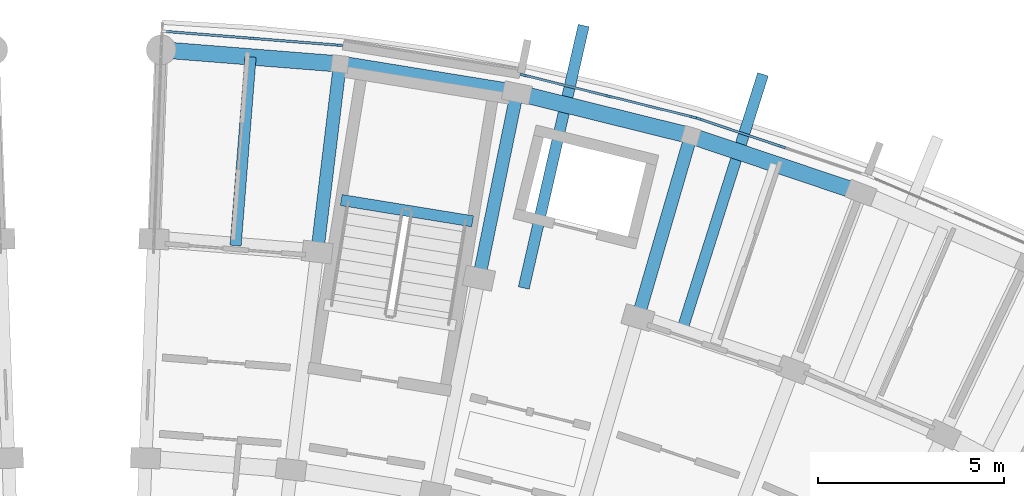
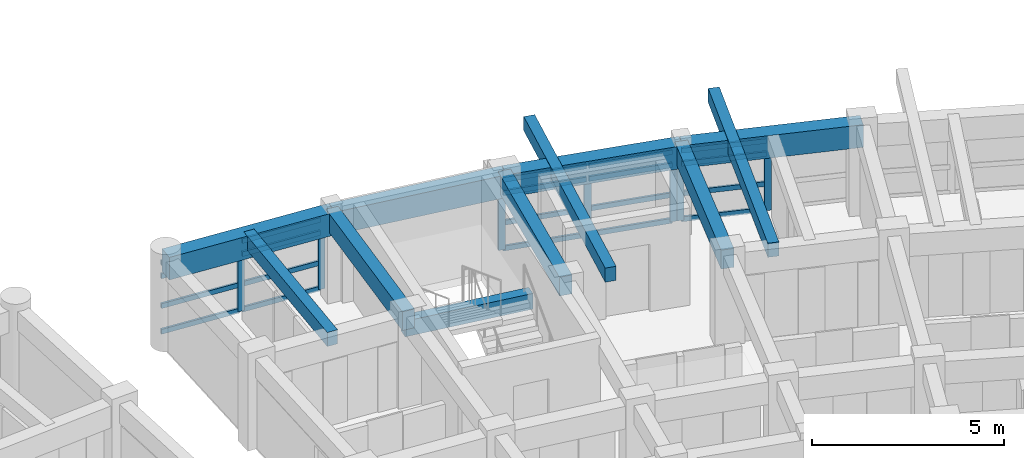
# One storey, part 8 of 56: 27 members, 11 beams, 3 elements without a shape of their own.
"""IFC4 building model written with IfcOpenShell, lengths in metres."""

from ifc_helpers import new_model, si_unit, direction, frame, origin, origin_2d, place, context, subcontext, project, spatial, rectangle, extrude, material, material_profile, profile_set, type_object, element, aggregate, save


model = new_model("IFC4")

# Units and contexts
model_context = context("Model", 3, precision=1e-05, world=origin(), true_north=direction((0.0, 1.0)))
body_context = subcontext(model_context, "Body", "Model", "MODEL_VIEW")
ifc_project = project(units=[si_unit("LENGTHUNIT", "METRE"), si_unit("AREAUNIT", "SQUARE_METRE"), si_unit("VOLUMEUNIT", "CUBIC_METRE"), si_unit("PLANEANGLEUNIT", "RADIAN"), si_unit("MASSUNIT", "GRAM", prefix="KILO")], contexts=[model_context])

# Site, building, storey
site_placement = place(None, origin())
site = spatial("IfcSite", under=ifc_project, at=site_placement, CompositionType="ELEMENT")
building_placement = place(site_placement, origin())
building = spatial("IfcBuilding", under=site, at=building_placement, Name="Zimvara Arc Housing Community", CompositionType="ELEMENT")
storey_placement = place(building_placement, frame((0.0, 0.0, 17.39990234375)))
storey = spatial("IfcBuildingStorey", under=building, at=storey_placement, Name="L05", CompositionType="ELEMENT", Elevation=17.39990234375)

# Beams
ifc_material_1 = material(Name="Concrete C40/50", Category="concrete")
ifc_material_profile_1 = material_profile(ifc_material_1, rectangle(XDim=0.300048828125, YDim=0.449951171875, at=origin_2d()), Name="RC 300x450")
ifc_profile_set_1 = profile_set([ifc_material_profile_1], Name="Concrete C40/50")
beam_type_1 = type_object("IfcBeamType", Name="BM-RC-300x450", PredefinedType="JOIST", material=ifc_profile_set_1)
beam_1_placement = place(storey_placement, frame((49.2548828125, 98.08642578125, 2.64501953125), z_axis=(0.079171686291, 0.99686099537, 0.0), x_axis=(-0.99686099537, 0.079171686291, 0.0)))
element("IfcBeam", 1, at=beam_1_placement, inside=storey, type_object=beam_type_1, Name="bm:blkB:L05:joist:b0", PredefinedType="JOIST", context=body_context, shape_type="SweptSolid", body=[
    extrude(rectangle(XDim=0.300048828125, YDim=0.449951171875, at=origin_2d()), origin(), (0.0, 0.0, 1.0), 5.07568359375),
])
beam_2_placement = place(storey_placement, frame((56.983642578125, 96.9482421875, 2.6650390625), z_axis=(0.222762368322, 0.974872774909, 0.0), x_axis=(-0.974872774909, 0.222762368322, 0.0)))
element("IfcBeam", 2, at=beam_2_placement, inside=storey, type_object=beam_type_1, Name="bm:blkB:L05:cant_out:b2", PredefinedType="JOIST", context=body_context, shape_type="SweptSolid", body=[
    extrude(rectangle(XDim=0.300048828125, YDim=0.449951171875, at=origin_2d()), origin(), (0.0, 0.0, 1.0), 7.22021484375),
])
beam_3_placement = place(storey_placement, frame((61.22314453125, 95.795654296875, 2.6650390625), z_axis=(0.301521356078, 0.953459423273, 0.0), x_axis=(-0.953459423273, 0.301521356078, 0.0)))
element("IfcBeam", 3, at=beam_3_placement, inside=storey, type_object=beam_type_1, Name="bm:blkB:L05:cant_out:b3", PredefinedType="JOIST", context=body_context, shape_type="SweptSolid", body=[
    extrude(rectangle(XDim=0.300048828125, YDim=0.449951171875, at=origin_2d()), origin(), (0.0, 0.0, 1.0), 7.219970703125),
])
ifc_material_2 = material(Name="Concrete C40/50", Category="concrete")
ifc_material_profile_2 = material_profile(ifc_material_2, rectangle(XDim=0.300048828125, YDim=0.5, at=origin_2d()), Name="RC 300x500")
ifc_profile_set_2 = profile_set([ifc_material_profile_2], Name="Concrete C40/50")
beam_type_2 = type_object("IfcBeamType", Name="BM-RC-300x500", PredefinedType="BEAM", material=ifc_profile_set_2)
beam_4_placement = place(storey_placement, frame((55.612060546875, 98.7353515625, 1.300048828125), z_axis=(-0.987080057935, 0.160227835371, 0.0), x_axis=(-0.160227835371, -0.987080057935, 0.0)))
element("IfcBeam", 4, at=beam_4_placement, inside=storey, type_object=beam_type_2, Name="bm:stair_trim:ST-B1:L05:mid", PredefinedType="BEAM", context=body_context, shape_type="SweptSolid", body=[
    extrude(rectangle(XDim=0.300048828125, YDim=0.5, at=origin_2d()), origin(), (0.0, 0.0, 1.0), 3.570068359375),
])
ifc_material_3 = material(Name="Concrete C40/50", Category="concrete")
ifc_material_profile_3 = material_profile(ifc_material_3, rectangle(XDim=0.35009765625, YDim=0.60009765625, at=origin_2d()), Name="RC 350x600")
ifc_profile_set_3 = profile_set([ifc_material_profile_3], Name="Concrete C40/50")
beam_type_3 = type_object("IfcBeamType", Name="BM-RC-350x600", PredefinedType="BEAM", material=ifc_profile_set_3)
beam_5_placement = place(storey_placement, frame((51.44482421875, 97.91259765625, 2.570068359375), z_axis=(0.119762990499, 0.99280251113, 0.0), x_axis=(-0.99280251113, 0.119762990499, 0.0)))
element("IfcBeam", 5, at=beam_5_placement, inside=storey, type_object=beam_type_3, Name="bm:blkB:L05:rad:b1:r23", PredefinedType="BEAM", context=body_context, shape_type="SweptSolid", body=[
    extrude(rectangle(XDim=0.35009765625, YDim=0.60009765625, at=origin_2d()), origin(), (0.0, 0.0, 1.0), 5.080078125),
])
for number, where, z_axis, x_axis, name in (
    (6, (55.78125, 97.208740234375, 2.570068359375), (0.200411962389, 0.97971171542, 0.0), (-0.97971171542, 0.200411962389, 0.0), "bm:blkB:L05:rad:b2:r23"),
    (7, (60.0458984375, 96.1533203125, 2.570068359375), (0.279662254096, 0.960098444762, 0.0), (-0.960098444762, 0.279662254096, 0.0), "bm:blkB:L05:rad:b3:r23"),
):
    element("IfcBeam", number, at=place(storey_placement, frame(where, z_axis=z_axis, x_axis=x_axis)), inside=storey, type_object=beam_type_3, Name=name, PredefinedType="BEAM", context=body_context, shape_type="SweptSolid", body=[
        extrude(rectangle(XDim=0.35009765625, YDim=0.60009765625, at=origin_2d()), origin(), (0.0, 0.0, 1.0), 5.079833984375),
    ])
ifc_material_4 = material(Name="Concrete C40/50", Category="concrete")
ifc_material_profile_4 = material_profile(ifc_material_4, rectangle(XDim=0.43994140625, YDim=0.719970703125, at=origin_2d()), Name="RC 440x720")
ifc_profile_set_4 = profile_set([ifc_material_profile_4], Name="Concrete C40/50")
beam_type_4 = type_object("IfcBeamType", Name="BM-RC-440x720", PredefinedType="BEAM", material=ifc_profile_set_4)
beam_6_placement = place(storey_placement, frame((47.26025390625, 103.336669921875, 2.510009765625), z_axis=(0.996861768207, -0.0791619548, 0.0), x_axis=(0.0791619548, 0.996861768207, 0.0)))
element("IfcBeam", 8, at=beam_6_placement, inside=storey, type_object=beam_type_4, Name="bm:blkB:L05:chord:r3:b0", PredefinedType="BEAM", context=body_context, shape_type="SweptSolid", body=[
    extrude(rectangle(XDim=0.43994140625, YDim=0.719970703125, at=origin_2d()), origin(), (0.0, 0.0, 1.0), 4.80810546875),
])
beam_7_placement = place(storey_placement, frame((52.05322265625, 102.9560546875, 2.510009765625), z_axis=(0.987076839731, -0.160247659784, 0.0), x_axis=(0.160247659784, 0.987076839731, 0.0)))
element("IfcBeam", 9, at=beam_7_placement, inside=storey, type_object=beam_type_4, Name="bm:blkB:L05:chord:r3:b1", PredefinedType="BEAM", context=body_context, shape_type="SweptSolid", body=[
    extrude(rectangle(XDim=0.43994140625, YDim=0.719970703125, at=origin_2d()), origin(), (0.0, 0.0, 1.0), 4.808349609375),
])
beam_8_placement = place(storey_placement, frame((56.79931640625, 102.185546875, 2.510009765625), z_axis=(0.970716235341, -0.240229037474, 0.0), x_axis=(0.240229037474, 0.970716235341, 0.0)))
element("IfcBeam", 10, at=beam_8_placement, inside=storey, type_object=beam_type_4, Name="bm:blkB:L05:chord:r3:b2", PredefinedType="BEAM", context=body_context, shape_type="SweptSolid", body=[
    extrude(rectangle(XDim=0.43994140625, YDim=0.719970703125, at=origin_2d()), origin(), (0.0, 0.0, 1.0), 4.80810546875),
])
beam_9_placement = place(storey_placement, frame((61.466552734375, 101.030517578125, 2.510009765625), z_axis=(0.947877948153, -0.31863363822, 0.0), x_axis=(0.31863363822, 0.947877948153, 0.0)))
element("IfcBeam", 11, at=beam_9_placement, inside=storey, type_object=beam_type_4, Name="bm:blkB:L05:chord:r3:b3", PredefinedType="BEAM", context=body_context, shape_type="SweptSolid", body=[
    extrude(rectangle(XDim=0.43994140625, YDim=0.719970703125, at=origin_2d()), origin(), (0.0, 0.0, 1.0), 4.807861328125),
])

# Curtain wall, members
ifc_material_5 = material(Name="Anodised Aluminium AW-6063", Category="aluminium")
curtain_wall_type_1 = type_object("IfcCurtainWallType", Name="CW-SYS-03", PredefinedType="USERDEFINED", material=ifc_material_5)
curtain_wall_1_placement = place(storey_placement, origin())
curtain_wall_1 = element("IfcCurtainWall", 12, at=curtain_wall_1_placement, inside=storey, type_object=curtain_wall_type_1, Name="cw:blkB:L05:out:b0", ObjectType="CURTAIN WALL", PredefinedType="USERDEFINED")
ifc_material_6 = material(Name="Anodised Aluminium AW-6063", Category="aluminium")
ifc_material_profile_5 = material_profile(ifc_material_6, rectangle(XDim=0.06494140625, YDim=0.195068359375, at=origin_2d()), Name="ALU 65x195")
ifc_profile_set_5 = profile_set([ifc_material_profile_5], Name="Anodised Aluminium AW-6063")
member_type_1 = type_object("IfcMemberType", Name="CWM-65x180", PredefinedType="MULLION", material=ifc_profile_set_5)
member_1_placement = place(storey_placement, frame((49.6962890625, 103.644287109375, 0.0), z_axis=(0.0, 0.0, 1.0), x_axis=(0.079153759607, 0.996862418963, 0.0)))
member_1 = element("IfcMember", 13, at=member_1_placement, type_object=member_type_1, Name="CW03 mullion 2", PredefinedType="MULLION", context=body_context, shape_type="SweptSolid", body=[
    extrude(rectangle(XDim=0.06494140625, YDim=0.195068359375, at=origin_2d()), origin(), (0.0, 0.0, 1.0), 2.25),
])
member_2_placement = place(storey_placement, frame((52.02099609375, 103.459716796875, 0.0), z_axis=(0.0, 0.0, 1.0), x_axis=(0.079153759607, 0.996862418963, 0.0)))
member_2 = element("IfcMember", 14, at=member_2_placement, type_object=member_type_1, Name="CW03 mullion 3", PredefinedType="MULLION", context=body_context, shape_type="SweptSolid", body=[
    extrude(rectangle(XDim=0.06494140625, YDim=0.195068359375, at=origin_2d()), origin(), (0.0, 0.0, 1.0), 2.25),
])

ifc_material_7 = material(Name="Anodised Aluminium AW-6063", Category="aluminium")
curtain_wall_type_2 = type_object("IfcCurtainWallType", Name="CW-SYS-05", PredefinedType="USERDEFINED", material=ifc_material_7)
curtain_wall_2_placement = place(storey_placement, origin())
curtain_wall_2 = element("IfcCurtainWall", 15, at=curtain_wall_2_placement, inside=storey, type_object=curtain_wall_type_2, Name="cw:blkB:L05:out:b2", ObjectType="CURTAIN WALL", PredefinedType="USERDEFINED")
member_3_placement = place(storey_placement, frame((56.9892578125, 102.6533203125, 0.0), z_axis=(0.0, 0.0, 1.0), x_axis=(0.240229711131, 0.970716068627, 0.0)))
member_3 = element("IfcMember", 16, at=member_3_placement, type_object=member_type_1, Name="CW05 mullion 1", PredefinedType="MULLION", context=body_context, shape_type="SweptSolid", body=[
    extrude(rectangle(XDim=0.06494140625, YDim=0.195068359375, at=origin_2d()), origin(), (0.0, 0.0, 1.0), 2.25),
])
member_4_placement = place(storey_placement, frame((59.2529296875, 102.093017578125, 0.0), z_axis=(0.0, 0.0, 1.0), x_axis=(0.240229711131, 0.970716068627, 0.0)))
member_4 = element("IfcMember", 17, at=member_4_placement, type_object=member_type_1, Name="CW05 mullion 2", PredefinedType="MULLION", context=body_context, shape_type="SweptSolid", body=[
    extrude(rectangle(XDim=0.06494140625, YDim=0.195068359375, at=origin_2d()), origin(), (0.0, 0.0, 1.0), 2.25),
])
member_5_placement = place(storey_placement, frame((61.5166015625, 101.532958984375, 0.0), z_axis=(0.0, 0.0, 1.0), x_axis=(0.240229711131, 0.970716068627, 0.0)))
member_5 = element("IfcMember", 18, at=member_5_placement, type_object=member_type_1, Name="CW05 mullion 3", PredefinedType="MULLION", context=body_context, shape_type="SweptSolid", body=[
    extrude(rectangle(XDim=0.06494140625, YDim=0.195068359375, at=origin_2d()), origin(), (0.0, 0.0, 1.0), 2.25),
])

ifc_material_8 = material(Name="Anodised Aluminium AW-6063", Category="aluminium")
curtain_wall_type_3 = type_object("IfcCurtainWallType", Name="CW-SYS-07", PredefinedType="USERDEFINED", material=ifc_material_8)
curtain_wall_3_placement = place(storey_placement, origin())
curtain_wall_3 = element("IfcCurtainWall", 19, at=curtain_wall_3_placement, inside=storey, type_object=curtain_wall_type_3, Name="cw:blkB:L05:out:b3", ObjectType="CURTAIN WALL", PredefinedType="USERDEFINED")
member_6_placement = place(storey_placement, frame((61.694091796875, 101.481201171875, 0.0), z_axis=(0.0, 0.0, 1.0), x_axis=(0.318628583921, 0.947879647164, 0.0)))
member_6 = element("IfcMember", 20, at=member_6_placement, type_object=member_type_1, Name="CW07 mullion 1", PredefinedType="MULLION", context=body_context, shape_type="SweptSolid", body=[
    extrude(rectangle(XDim=0.06494140625, YDim=0.195068359375, at=origin_2d()), origin(), (0.0, 0.0, 1.0), 2.25),
])
member_7_placement = place(storey_placement, frame((63.904296875, 100.73828125, 0.0), z_axis=(0.0, 0.0, 1.0), x_axis=(0.318628583921, 0.947879647164, 0.0)))
member_7 = element("IfcMember", 21, at=member_7_placement, type_object=member_type_1, Name="CW07 mullion 2", PredefinedType="MULLION", context=body_context, shape_type="SweptSolid", body=[
    extrude(rectangle(XDim=0.06494140625, YDim=0.195068359375, at=origin_2d()), origin(), (0.0, 0.0, 1.0), 2.25),
])

# Member
ifc_material_9 = material(Name="Anodised Aluminium AW-6063", Category="aluminium")
ifc_material_profile_6 = material_profile(ifc_material_9, rectangle(XDim=0.06494140625, YDim=0.155029296875, at=origin_2d()), Name="ALU 65x155")
ifc_profile_set_6 = profile_set([ifc_material_profile_6], Name="Anodised Aluminium AW-6063")
member_type_2 = type_object("IfcMemberType", Name="CWT-65x140", PredefinedType="USERDEFINED", material=ifc_profile_set_6)
member_8_placement = place(storey_placement, frame((47.404052734375, 103.826416015625, 0.03271484375), z_axis=(0.996862021022, -0.079158771116, 0.0), x_axis=(0.079158771116, 0.996862021022, 0.0)))
member_8 = element("IfcMember", 22, at=member_8_placement, type_object=member_type_2, Name="CW03 transom 1.1", ObjectType="TRANSOM", PredefinedType="USERDEFINED", context=body_context, shape_type="SweptSolid", body=[
    extrude(rectangle(XDim=0.06494140625, YDim=0.155029296875, at=origin_2d()), origin(), (0.0, 0.0, 1.0), 2.266845703125),
])

member_9_placement = place(storey_placement, frame((47.404052734375, 103.826416015625, 0.85009765625), z_axis=(0.996862021022, -0.079158771116, 0.0), x_axis=(0.079158771116, 0.996862021022, 0.0)))
member_9 = element("IfcMember", 23, at=member_9_placement, type_object=member_type_2, Name="CW03 transom 1.2", ObjectType="TRANSOM", PredefinedType="USERDEFINED", context=body_context, shape_type="SweptSolid", body=[
    extrude(rectangle(XDim=0.06494140625, YDim=0.155029296875, at=origin_2d()), origin(), (0.0, 0.0, 1.0), 2.266845703125),
])

member_10_placement = place(storey_placement, frame((47.404052734375, 103.826416015625, 1.800048828125), z_axis=(0.996862021022, -0.079158771116, 0.0), x_axis=(0.079158771116, 0.996862021022, 0.0)))
member_10 = element("IfcMember", 24, at=member_10_placement, type_object=member_type_2, Name="CW03 transom 1.3", ObjectType="TRANSOM", PredefinedType="USERDEFINED", context=body_context, shape_type="SweptSolid", body=[
    extrude(rectangle(XDim=0.06494140625, YDim=0.155029296875, at=origin_2d()), origin(), (0.0, 0.0, 1.0), 2.266845703125),
])

member_11_placement = place(storey_placement, frame((47.404052734375, 103.826416015625, 2.217529296875), z_axis=(0.996862021022, -0.079158771116, 0.0), x_axis=(0.079158771116, 0.996862021022, 0.0)))
member_11 = element("IfcMember", 25, at=member_11_placement, type_object=member_type_2, Name="CW03 transom 1.4", ObjectType="TRANSOM", PredefinedType="USERDEFINED", context=body_context, shape_type="SweptSolid", body=[
    extrude(rectangle(XDim=0.06494140625, YDim=0.155029296875, at=origin_2d()), origin(), (0.0, 0.0, 1.0), 2.266845703125),
])

member_12_placement = place(storey_placement, frame((49.728759765625, 103.641845703125, 0.03271484375), z_axis=(0.996862021022, -0.079158771116, 0.0), x_axis=(0.079158771116, 0.996862021022, 0.0)))
member_12 = element("IfcMember", 26, at=member_12_placement, type_object=member_type_2, Name="CW03 transom 2.1", ObjectType="TRANSOM", PredefinedType="USERDEFINED", context=body_context, shape_type="SweptSolid", body=[
    extrude(rectangle(XDim=0.06494140625, YDim=0.155029296875, at=origin_2d()), origin(), (0.0, 0.0, 1.0), 2.266845703125),
])

member_13_placement = place(storey_placement, frame((49.728759765625, 103.641845703125, 0.85009765625), z_axis=(0.996862021022, -0.079158771116, 0.0), x_axis=(0.079158771116, 0.996862021022, 0.0)))
member_13 = element("IfcMember", 27, at=member_13_placement, type_object=member_type_2, Name="CW03 transom 2.2", ObjectType="TRANSOM", PredefinedType="USERDEFINED", context=body_context, shape_type="SweptSolid", body=[
    extrude(rectangle(XDim=0.06494140625, YDim=0.155029296875, at=origin_2d()), origin(), (0.0, 0.0, 1.0), 2.266845703125),
])

member_14_placement = place(storey_placement, frame((49.728759765625, 103.641845703125, 1.800048828125), z_axis=(0.996862021022, -0.079158771116, 0.0), x_axis=(0.079158771116, 0.996862021022, 0.0)))
member_14 = element("IfcMember", 28, at=member_14_placement, type_object=member_type_2, Name="CW03 transom 2.3", ObjectType="TRANSOM", PredefinedType="USERDEFINED", context=body_context, shape_type="SweptSolid", body=[
    extrude(rectangle(XDim=0.06494140625, YDim=0.155029296875, at=origin_2d()), origin(), (0.0, 0.0, 1.0), 2.266845703125),
])

member_15_placement = place(storey_placement, frame((49.728759765625, 103.641845703125, 2.217529296875), z_axis=(0.996862021022, -0.079158771116, 0.0), x_axis=(0.079158771116, 0.996862021022, 0.0)))
member_15 = element("IfcMember", 29, at=member_15_placement, type_object=member_type_2, Name="CW03 transom 2.4", ObjectType="TRANSOM", PredefinedType="USERDEFINED", context=body_context, shape_type="SweptSolid", body=[
    extrude(rectangle(XDim=0.06494140625, YDim=0.155029296875, at=origin_2d()), origin(), (0.0, 0.0, 1.0), 2.266845703125),
])

aggregate(curtain_wall_1, [member_1, member_2, member_8, member_9, member_10, member_11, member_12, member_13, member_14, member_15])

member_16_placement = place(storey_placement, frame((57.020751953125, 102.6455078125, 0.03271484375), z_axis=(0.970703721793, -0.240279596507, 0.0), x_axis=(0.240279596507, 0.970703721793, 0.0)))
member_16 = element("IfcMember", 30, at=member_16_placement, type_object=member_type_2, Name="CW05 transom 1.1", ObjectType="TRANSOM", PredefinedType="USERDEFINED", context=body_context, shape_type="SweptSolid", body=[
    extrude(rectangle(XDim=0.06494140625, YDim=0.155029296875, at=origin_2d()), origin(), (0.0, 0.0, 1.0), 2.266845703125),
])

member_17_placement = place(storey_placement, frame((57.020751953125, 102.6455078125, 0.85009765625), z_axis=(0.970703721793, -0.240279596507, 0.0), x_axis=(0.240279596507, 0.970703721793, 0.0)))
member_17 = element("IfcMember", 31, at=member_17_placement, type_object=member_type_2, Name="CW05 transom 1.2", ObjectType="TRANSOM", PredefinedType="USERDEFINED", context=body_context, shape_type="SweptSolid", body=[
    extrude(rectangle(XDim=0.06494140625, YDim=0.155029296875, at=origin_2d()), origin(), (0.0, 0.0, 1.0), 2.266845703125),
])

member_18_placement = place(storey_placement, frame((57.020751953125, 102.6455078125, 1.800048828125), z_axis=(0.970703721793, -0.240279596507, 0.0), x_axis=(0.240279596507, 0.970703721793, 0.0)))
member_18 = element("IfcMember", 32, at=member_18_placement, type_object=member_type_2, Name="CW05 transom 1.3", ObjectType="TRANSOM", PredefinedType="USERDEFINED", context=body_context, shape_type="SweptSolid", body=[
    extrude(rectangle(XDim=0.06494140625, YDim=0.155029296875, at=origin_2d()), origin(), (0.0, 0.0, 1.0), 2.266845703125),
])

member_19_placement = place(storey_placement, frame((57.020751953125, 102.6455078125, 2.217529296875), z_axis=(0.970703721793, -0.240279596507, 0.0), x_axis=(0.240279596507, 0.970703721793, 0.0)))
member_19 = element("IfcMember", 33, at=member_19_placement, type_object=member_type_2, Name="CW05 transom 1.4", ObjectType="TRANSOM", PredefinedType="USERDEFINED", context=body_context, shape_type="SweptSolid", body=[
    extrude(rectangle(XDim=0.06494140625, YDim=0.155029296875, at=origin_2d()), origin(), (0.0, 0.0, 1.0), 2.266845703125),
])

member_20_placement = place(storey_placement, frame((59.284423828125, 102.085205078125, 0.03271484375), z_axis=(0.970728837212, -0.240178110172, 0.0), x_axis=(0.240178110172, 0.970728837212, 0.0)))
member_20 = element("IfcMember", 34, at=member_20_placement, type_object=member_type_2, Name="CW05 transom 2.1", ObjectType="TRANSOM", PredefinedType="USERDEFINED", context=body_context, shape_type="SweptSolid", body=[
    extrude(rectangle(XDim=0.06494140625, YDim=0.155029296875, at=origin_2d()), origin(), (0.0, 0.0, 1.0), 2.266845703125),
])

member_21_placement = place(storey_placement, frame((59.284423828125, 102.085205078125, 0.85009765625), z_axis=(0.970728837212, -0.240178110172, 0.0), x_axis=(0.240178110172, 0.970728837212, 0.0)))
member_21 = element("IfcMember", 35, at=member_21_placement, type_object=member_type_2, Name="CW05 transom 2.2", ObjectType="TRANSOM", PredefinedType="USERDEFINED", context=body_context, shape_type="SweptSolid", body=[
    extrude(rectangle(XDim=0.06494140625, YDim=0.155029296875, at=origin_2d()), origin(), (0.0, 0.0, 1.0), 2.266845703125),
])

member_22_placement = place(storey_placement, frame((59.284423828125, 102.085205078125, 1.800048828125), z_axis=(0.970728837212, -0.240178110172, 0.0), x_axis=(0.240178110172, 0.970728837212, 0.0)))
member_22 = element("IfcMember", 36, at=member_22_placement, type_object=member_type_2, Name="CW05 transom 2.3", ObjectType="TRANSOM", PredefinedType="USERDEFINED", context=body_context, shape_type="SweptSolid", body=[
    extrude(rectangle(XDim=0.06494140625, YDim=0.155029296875, at=origin_2d()), origin(), (0.0, 0.0, 1.0), 2.266845703125),
])

member_23_placement = place(storey_placement, frame((59.284423828125, 102.085205078125, 2.217529296875), z_axis=(0.970728837212, -0.240178110172, 0.0), x_axis=(0.240178110172, 0.970728837212, 0.0)))
member_23 = element("IfcMember", 37, at=member_23_placement, type_object=member_type_2, Name="CW05 transom 2.4", ObjectType="TRANSOM", PredefinedType="USERDEFINED", context=body_context, shape_type="SweptSolid", body=[
    extrude(rectangle(XDim=0.06494140625, YDim=0.155029296875, at=origin_2d()), origin(), (0.0, 0.0, 1.0), 2.266845703125),
])

aggregate(curtain_wall_2, [member_3, member_4, member_5, member_16, member_17, member_18, member_19, member_20, member_21, member_22, member_23])

member_24_placement = place(storey_placement, frame((61.724853515625, 101.470947265625, 0.03271484375), z_axis=(0.947861605379, -0.318682250916, 0.0), x_axis=(0.318682250916, 0.947861605379, 0.0)))
member_24 = element("IfcMember", 38, at=member_24_placement, type_object=member_type_2, Name="CW07 transom 1.1", ObjectType="TRANSOM", PredefinedType="USERDEFINED", context=body_context, shape_type="SweptSolid", body=[
    extrude(rectangle(XDim=0.06494140625, YDim=0.155029296875, at=origin_2d()), origin(), (0.0, 0.0, 1.0), 2.266845703125),
])

member_25_placement = place(storey_placement, frame((61.724853515625, 101.470947265625, 0.85009765625), z_axis=(0.947861605379, -0.318682250916, 0.0), x_axis=(0.318682250916, 0.947861605379, 0.0)))
member_25 = element("IfcMember", 39, at=member_25_placement, type_object=member_type_2, Name="CW07 transom 1.2", ObjectType="TRANSOM", PredefinedType="USERDEFINED", context=body_context, shape_type="SweptSolid", body=[
    extrude(rectangle(XDim=0.06494140625, YDim=0.155029296875, at=origin_2d()), origin(), (0.0, 0.0, 1.0), 2.266845703125),
])

member_26_placement = place(storey_placement, frame((61.724853515625, 101.470947265625, 1.800048828125), z_axis=(0.947861605379, -0.318682250916, 0.0), x_axis=(0.318682250916, 0.947861605379, 0.0)))
member_26 = element("IfcMember", 40, at=member_26_placement, type_object=member_type_2, Name="CW07 transom 1.3", ObjectType="TRANSOM", PredefinedType="USERDEFINED", context=body_context, shape_type="SweptSolid", body=[
    extrude(rectangle(XDim=0.06494140625, YDim=0.155029296875, at=origin_2d()), origin(), (0.0, 0.0, 1.0), 2.266845703125),
])

member_27_placement = place(storey_placement, frame((61.724853515625, 101.470947265625, 2.217529296875), z_axis=(0.947861605379, -0.318682250916, 0.0), x_axis=(0.318682250916, 0.947861605379, 0.0)))
member_27 = element("IfcMember", 41, at=member_27_placement, type_object=member_type_2, Name="CW07 transom 1.4", ObjectType="TRANSOM", PredefinedType="USERDEFINED", context=body_context, shape_type="SweptSolid", body=[
    extrude(rectangle(XDim=0.06494140625, YDim=0.155029296875, at=origin_2d()), origin(), (0.0, 0.0, 1.0), 2.266845703125),
])

aggregate(curtain_wall_3, [member_6, member_7, member_24, member_25, member_26, member_27])

save(model, "model.ifc")
